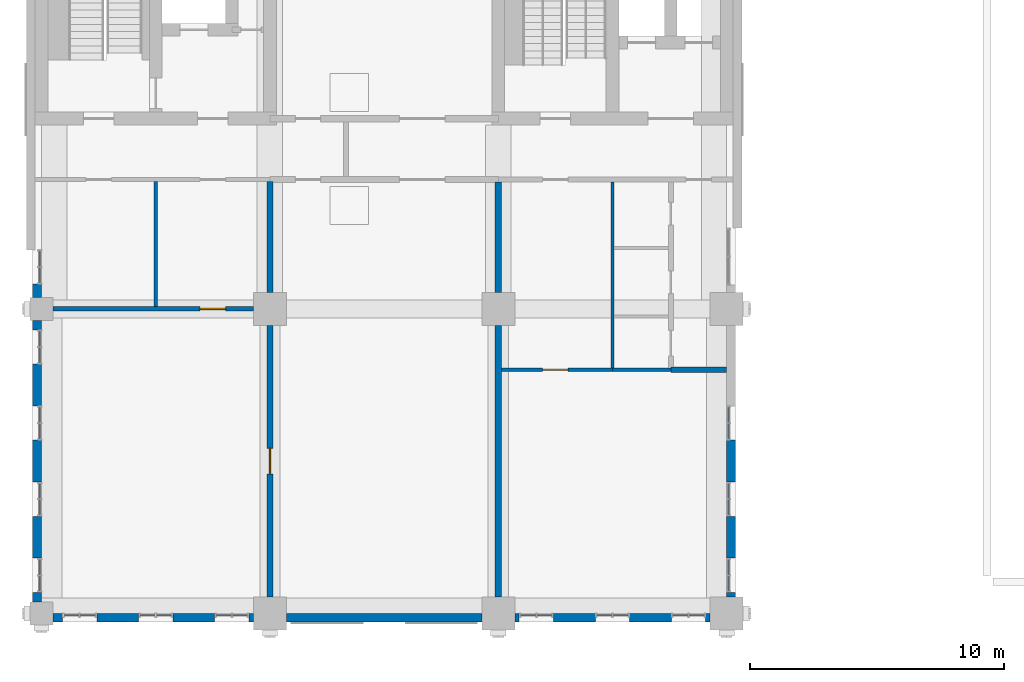
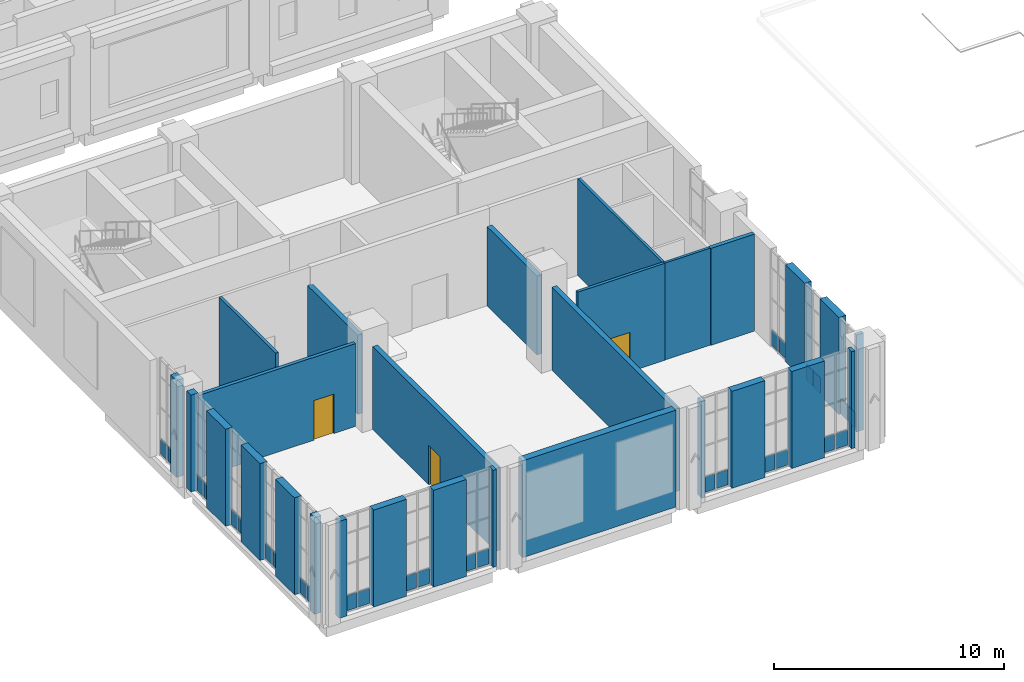
# One storey, part 16 of 37: 28 plates, 28 walls, 3 doors, 3 openings, 14 elements without a shape of their own.
"""IFC4 building model written with IfcOpenShell, lengths in metres."""

from ifc_helpers import new_model, si_unit, direction, frame, frame_2d, origin, origin_2d, place, context, subcontext, project, spatial, rectangle, extrude, material, layer, layer_set, type_object, element, fill, aggregate, save


model = new_model("IFC4")

# Units and contexts
model_context = context("Model", 3, precision=1e-05, world=origin(), true_north=direction((0.0, 1.0)))
body_context = subcontext(model_context, "Body", "Model", "MODEL_VIEW")
ifc_project = project(units=[si_unit("LENGTHUNIT", "METRE"), si_unit("AREAUNIT", "SQUARE_METRE"), si_unit("VOLUMEUNIT", "CUBIC_METRE"), si_unit("PLANEANGLEUNIT", "RADIAN"), si_unit("MASSUNIT", "GRAM", prefix="KILO")], contexts=[model_context])

# Site, building, storey
site_placement = place(None, origin())
site = spatial("IfcSite", under=ifc_project, at=site_placement, CompositionType="ELEMENT")
building_placement = place(site_placement, origin())
building = spatial("IfcBuilding", under=site, at=building_placement, Name="Aurelan Courthouse", CompositionType="ELEMENT")
storey_placement = place(building_placement, frame((0.0, 0.0, 17.39990234375)))
storey = spatial("IfcBuildingStorey", under=building, at=storey_placement, Name="L03", CompositionType="ELEMENT", Elevation=17.39990234375)

# Curtain wall, plates
ifc_material_1 = material(Name="Bronze-finished aluminium and glass", Category="aluminium")
ifc_layer_1 = layer(ifc_material_1, 0.14990234375)
ifc_layer_set_1 = layer_set([ifc_layer_1], Name="Bronze-finished aluminium and glass")
curtain_wall_type = type_object("IfcCurtainWallType", Name="Curtain wall 1350 x 5150", PredefinedType="NOTDEFINED", material=ifc_layer_set_1)
curtain_wall_1_placement = place(storey_placement, origin())
curtain_wall_1 = element("IfcCurtainWall", 1, at=curtain_wall_1_placement, inside=storey, type_object=curtain_wall_type, Name="Curtain wall CW-V5-L03-S01", PredefinedType="NOTDEFINED")
ifc_material_2 = material(Name="Bronze-finished aluminium", Category="aluminium")
ifc_layer_2 = layer(ifc_material_2, 0.0400390625)
ifc_layer_set_2 = layer_set([ifc_layer_2], Name="Bronze-finished aluminium")
plate_type = type_object("IfcPlateType", Name="Sill panel 40", PredefinedType="CURTAIN_PANEL", material=ifc_layer_set_2)
plate_1_placement = place(storey_placement, frame((1.177490234375, -0.074951171875, 0.06005859375), z_axis=(0.0, 0.0, 1.0), x_axis=(1.0, 0.0, 0.0)))
plate_1 = element("IfcPlate", 2, at=plate_1_placement, type_object=plate_type, Name="CW-V5-L03-S01 sill panel 1.1", PredefinedType="CURTAIN_PANEL", context=body_context, shape_type="SweptSolid", body=[
    extrude(rectangle(XDim=0.5849609375, YDim=0.0400390625, at=origin_2d()), origin(), (0.0, 0.0, 1.0), 0.81005859375),
])
plate_2_placement = place(storey_placement, frame((1.822509765625, -0.074951171875, 0.06005859375), z_axis=(0.0, 0.0, 1.0), x_axis=(1.0, 0.0, 0.0)))
plate_2 = element("IfcPlate", 3, at=plate_2_placement, type_object=plate_type, Name="CW-V5-L03-S01 sill panel 2.1", PredefinedType="CURTAIN_PANEL", context=body_context, shape_type="SweptSolid", body=[
    extrude(rectangle(XDim=0.5849609375, YDim=0.0400390625, at=origin_2d()), origin(), (0.0, 0.0, 1.0), 0.81005859375),
])
aggregate(curtain_wall_1, [plate_1, plate_2])

curtain_wall_2_placement = place(storey_placement, origin())
curtain_wall_2 = element("IfcCurtainWall", 4, at=curtain_wall_2_placement, inside=storey, type_object=curtain_wall_type, Name="Curtain wall CW-V5-L03-S02", PredefinedType="NOTDEFINED")
plate_3_placement = place(storey_placement, frame((4.177490234375, -0.074951171875, 0.06005859375), z_axis=(0.0, 0.0, 1.0), x_axis=(1.0, 0.0, 0.0)))
plate_3 = element("IfcPlate", 5, at=plate_3_placement, type_object=plate_type, Name="CW-V5-L03-S02 sill panel 1.1", PredefinedType="CURTAIN_PANEL", context=body_context, shape_type="SweptSolid", body=[
    extrude(rectangle(XDim=0.5849609375, YDim=0.0400390625, at=origin_2d()), origin(), (0.0, 0.0, 1.0), 0.81005859375),
])
plate_4_placement = place(storey_placement, frame((4.822509765625, -0.074951171875, 0.06005859375), z_axis=(0.0, 0.0, 1.0), x_axis=(1.0, 0.0, 0.0)))
plate_4 = element("IfcPlate", 6, at=plate_4_placement, type_object=plate_type, Name="CW-V5-L03-S02 sill panel 2.1", PredefinedType="CURTAIN_PANEL", context=body_context, shape_type="SweptSolid", body=[
    extrude(rectangle(XDim=0.5849609375, YDim=0.0400390625, at=origin_2d()), origin(), (0.0, 0.0, 1.0), 0.81005859375),
])
aggregate(curtain_wall_2, [plate_3, plate_4])

curtain_wall_3_placement = place(storey_placement, origin())
curtain_wall_3 = element("IfcCurtainWall", 7, at=curtain_wall_3_placement, inside=storey, type_object=curtain_wall_type, Name="Curtain wall CW-V5-L03-S03", PredefinedType="NOTDEFINED")
plate_5_placement = place(storey_placement, frame((7.177490234375, -0.074951171875, 0.06005859375), z_axis=(0.0, 0.0, 1.0), x_axis=(1.0, 0.0, 0.0)))
plate_5 = element("IfcPlate", 8, at=plate_5_placement, type_object=plate_type, Name="CW-V5-L03-S03 sill panel 1.1", PredefinedType="CURTAIN_PANEL", context=body_context, shape_type="SweptSolid", body=[
    extrude(rectangle(XDim=0.5849609375, YDim=0.0400390625, at=origin_2d()), origin(), (0.0, 0.0, 1.0), 0.81005859375),
])
plate_6_placement = place(storey_placement, frame((7.822509765625, -0.074951171875, 0.06005859375), z_axis=(0.0, 0.0, 1.0), x_axis=(1.0, 0.0, 0.0)))
plate_6 = element("IfcPlate", 9, at=plate_6_placement, type_object=plate_type, Name="CW-V5-L03-S03 sill panel 2.1", PredefinedType="CURTAIN_PANEL", context=body_context, shape_type="SweptSolid", body=[
    extrude(rectangle(XDim=0.5849609375, YDim=0.0400390625, at=origin_2d()), origin(), (0.0, 0.0, 1.0), 0.81005859375),
])
aggregate(curtain_wall_3, [plate_5, plate_6])

curtain_wall_4_placement = place(storey_placement, origin())
curtain_wall_4 = element("IfcCurtainWall", 10, at=curtain_wall_4_placement, inside=storey, type_object=curtain_wall_type, Name="Curtain wall CW-V5-L03-S04", PredefinedType="NOTDEFINED")
plate_7_placement = place(storey_placement, frame((19.177490234375, -0.074951171875, 0.06005859375), z_axis=(0.0, 0.0, 1.0), x_axis=(1.0, 0.0, 0.0)))
plate_7 = element("IfcPlate", 11, at=plate_7_placement, type_object=plate_type, Name="CW-V5-L03-S04 sill panel 1.1", PredefinedType="CURTAIN_PANEL", context=body_context, shape_type="SweptSolid", body=[
    extrude(rectangle(XDim=0.5849609375, YDim=0.0400390625, at=origin_2d()), origin(), (0.0, 0.0, 1.0), 0.81005859375),
])
plate_8_placement = place(storey_placement, frame((19.822509765625, -0.074951171875, 0.06005859375), z_axis=(0.0, 0.0, 1.0), x_axis=(1.0, 0.0, 0.0)))
plate_8 = element("IfcPlate", 12, at=plate_8_placement, type_object=plate_type, Name="CW-V5-L03-S04 sill panel 2.1", PredefinedType="CURTAIN_PANEL", context=body_context, shape_type="SweptSolid", body=[
    extrude(rectangle(XDim=0.5849609375, YDim=0.0400390625, at=origin_2d()), origin(), (0.0, 0.0, 1.0), 0.81005859375),
])
aggregate(curtain_wall_4, [plate_7, plate_8])

curtain_wall_5_placement = place(storey_placement, origin())
curtain_wall_5 = element("IfcCurtainWall", 13, at=curtain_wall_5_placement, inside=storey, type_object=curtain_wall_type, Name="Curtain wall CW-V5-L03-S05", PredefinedType="NOTDEFINED")
plate_9_placement = place(storey_placement, frame((22.177490234375, -0.074951171875, 0.06005859375), z_axis=(0.0, 0.0, 1.0), x_axis=(1.0, 0.0, 0.0)))
plate_9 = element("IfcPlate", 14, at=plate_9_placement, type_object=plate_type, Name="CW-V5-L03-S05 sill panel 1.1", PredefinedType="CURTAIN_PANEL", context=body_context, shape_type="SweptSolid", body=[
    extrude(rectangle(XDim=0.5849609375, YDim=0.0400390625, at=origin_2d()), origin(), (0.0, 0.0, 1.0), 0.81005859375),
])
plate_10_placement = place(storey_placement, frame((22.822509765625, -0.074951171875, 0.06005859375), z_axis=(0.0, 0.0, 1.0), x_axis=(1.0, 0.0, 0.0)))
plate_10 = element("IfcPlate", 15, at=plate_10_placement, type_object=plate_type, Name="CW-V5-L03-S05 sill panel 2.1", PredefinedType="CURTAIN_PANEL", context=body_context, shape_type="SweptSolid", body=[
    extrude(rectangle(XDim=0.5849609375, YDim=0.0400390625, at=origin_2d()), origin(), (0.0, 0.0, 1.0), 0.81005859375),
])
aggregate(curtain_wall_5, [plate_9, plate_10])

curtain_wall_6_placement = place(storey_placement, origin())
curtain_wall_6 = element("IfcCurtainWall", 16, at=curtain_wall_6_placement, inside=storey, type_object=curtain_wall_type, Name="Curtain wall CW-V5-L03-S06", PredefinedType="NOTDEFINED")
plate_11_placement = place(storey_placement, frame((25.177490234375, -0.074951171875, 0.06005859375), z_axis=(0.0, 0.0, 1.0), x_axis=(1.0, 0.0, 0.0)))
plate_11 = element("IfcPlate", 17, at=plate_11_placement, type_object=plate_type, Name="CW-V5-L03-S06 sill panel 1.1", PredefinedType="CURTAIN_PANEL", context=body_context, shape_type="SweptSolid", body=[
    extrude(rectangle(XDim=0.5849609375, YDim=0.0400390625, at=origin_2d()), origin(), (0.0, 0.0, 1.0), 0.81005859375),
])
plate_12_placement = place(storey_placement, frame((25.822509765625, -0.074951171875, 0.06005859375), z_axis=(0.0, 0.0, 1.0), x_axis=(1.0, 0.0, 0.0)))
plate_12 = element("IfcPlate", 18, at=plate_12_placement, type_object=plate_type, Name="CW-V5-L03-S06 sill panel 2.1", PredefinedType="CURTAIN_PANEL", context=body_context, shape_type="SweptSolid", body=[
    extrude(rectangle(XDim=0.5849609375, YDim=0.0400390625, at=origin_2d()), origin(), (0.0, 0.0, 1.0), 0.81005859375),
])
aggregate(curtain_wall_6, [plate_11, plate_12])

curtain_wall_7_placement = place(storey_placement, origin())
curtain_wall_7 = element("IfcCurtainWall", 19, at=curtain_wall_7_placement, inside=storey, type_object=curtain_wall_type, Name="Curtain wall CW-V5-L03-E01", PredefinedType="NOTDEFINED")
plate_13_placement = place(storey_placement, frame((27.074951171875, 1.177490234375, 0.06005859375), z_axis=(0.0, 0.0, 1.0), x_axis=(0.0, 1.0, 0.0)))
plate_13 = element("IfcPlate", 20, at=plate_13_placement, type_object=plate_type, Name="CW-V5-L03-E01 sill panel 1.1", PredefinedType="CURTAIN_PANEL", context=body_context, shape_type="SweptSolid", body=[
    extrude(rectangle(XDim=0.5849609375, YDim=0.0400390625, at=origin_2d()), origin(), (0.0, 0.0, 1.0), 0.81005859375),
])
plate_14_placement = place(storey_placement, frame((27.074951171875, 1.822509765625, 0.06005859375), z_axis=(0.0, 0.0, 1.0), x_axis=(0.0, 1.0, 0.0)))
plate_14 = element("IfcPlate", 21, at=plate_14_placement, type_object=plate_type, Name="CW-V5-L03-E01 sill panel 2.1", PredefinedType="CURTAIN_PANEL", context=body_context, shape_type="SweptSolid", body=[
    extrude(rectangle(XDim=0.5849609375, YDim=0.0400390625, at=origin_2d()), origin(), (0.0, 0.0, 1.0), 0.81005859375),
])
aggregate(curtain_wall_7, [plate_13, plate_14])

curtain_wall_8_placement = place(storey_placement, origin())
curtain_wall_8 = element("IfcCurtainWall", 22, at=curtain_wall_8_placement, inside=storey, type_object=curtain_wall_type, Name="Curtain wall CW-V5-L03-E02", PredefinedType="NOTDEFINED")
plate_15_placement = place(storey_placement, frame((27.074951171875, 4.177490234375, 0.06005859375), z_axis=(0.0, 0.0, 1.0), x_axis=(0.0, 1.0, 0.0)))
plate_15 = element("IfcPlate", 23, at=plate_15_placement, type_object=plate_type, Name="CW-V5-L03-E02 sill panel 1.1", PredefinedType="CURTAIN_PANEL", context=body_context, shape_type="SweptSolid", body=[
    extrude(rectangle(XDim=0.5849609375, YDim=0.0400390625, at=origin_2d()), origin(), (0.0, 0.0, 1.0), 0.81005859375),
])
plate_16_placement = place(storey_placement, frame((27.074951171875, 4.822509765625, 0.06005859375), z_axis=(0.0, 0.0, 1.0), x_axis=(0.0, 1.0, 0.0)))
plate_16 = element("IfcPlate", 24, at=plate_16_placement, type_object=plate_type, Name="CW-V5-L03-E02 sill panel 2.1", PredefinedType="CURTAIN_PANEL", context=body_context, shape_type="SweptSolid", body=[
    extrude(rectangle(XDim=0.5849609375, YDim=0.0400390625, at=origin_2d()), origin(), (0.0, 0.0, 1.0), 0.81005859375),
])
aggregate(curtain_wall_8, [plate_15, plate_16])

curtain_wall_9_placement = place(storey_placement, origin())
curtain_wall_9 = element("IfcCurtainWall", 25, at=curtain_wall_9_placement, inside=storey, type_object=curtain_wall_type, Name="Curtain wall CW-V5-L03-E03", PredefinedType="NOTDEFINED")
plate_17_placement = place(storey_placement, frame((27.074951171875, 7.177490234375, 0.06005859375), z_axis=(0.0, 0.0, 1.0), x_axis=(0.0, 1.0, 0.0)))
plate_17 = element("IfcPlate", 26, at=plate_17_placement, type_object=plate_type, Name="CW-V5-L03-E03 sill panel 1.1", PredefinedType="CURTAIN_PANEL", context=body_context, shape_type="SweptSolid", body=[
    extrude(rectangle(XDim=0.5849609375, YDim=0.0400390625, at=origin_2d()), origin(), (0.0, 0.0, 1.0), 0.81005859375),
])
plate_18_placement = place(storey_placement, frame((27.074951171875, 7.822509765625, 0.06005859375), z_axis=(0.0, 0.0, 1.0), x_axis=(0.0, 1.0, 0.0)))
plate_18 = element("IfcPlate", 27, at=plate_18_placement, type_object=plate_type, Name="CW-V5-L03-E03 sill panel 2.1", PredefinedType="CURTAIN_PANEL", context=body_context, shape_type="SweptSolid", body=[
    extrude(rectangle(XDim=0.5849609375, YDim=0.0400390625, at=origin_2d()), origin(), (0.0, 0.0, 1.0), 0.81005859375),
])
aggregate(curtain_wall_9, [plate_17, plate_18])

curtain_wall_10_placement = place(storey_placement, origin())
curtain_wall_10 = element("IfcCurtainWall", 28, at=curtain_wall_10_placement, inside=storey, type_object=curtain_wall_type, Name="Curtain wall CW-V5-L03-W01", PredefinedType="NOTDEFINED")
plate_19_placement = place(storey_placement, frame((-0.074951171875, 1.177490234375, 0.06005859375), z_axis=(0.0, 0.0, 1.0), x_axis=(0.0, 1.0, 0.0)))
plate_19 = element("IfcPlate", 29, at=plate_19_placement, type_object=plate_type, Name="CW-V5-L03-W01 sill panel 1.1", PredefinedType="CURTAIN_PANEL", context=body_context, shape_type="SweptSolid", body=[
    extrude(rectangle(XDim=0.5849609375, YDim=0.0400390625, at=origin_2d()), origin(), (0.0, 0.0, 1.0), 0.81005859375),
])
plate_20_placement = place(storey_placement, frame((-0.074951171875, 1.822509765625, 0.06005859375), z_axis=(0.0, 0.0, 1.0), x_axis=(0.0, 1.0, 0.0)))
plate_20 = element("IfcPlate", 30, at=plate_20_placement, type_object=plate_type, Name="CW-V5-L03-W01 sill panel 2.1", PredefinedType="CURTAIN_PANEL", context=body_context, shape_type="SweptSolid", body=[
    extrude(rectangle(XDim=0.5849609375, YDim=0.0400390625, at=origin_2d()), origin(), (0.0, 0.0, 1.0), 0.81005859375),
])
aggregate(curtain_wall_10, [plate_19, plate_20])

curtain_wall_11_placement = place(storey_placement, origin())
curtain_wall_11 = element("IfcCurtainWall", 31, at=curtain_wall_11_placement, inside=storey, type_object=curtain_wall_type, Name="Curtain wall CW-V5-L03-W02", PredefinedType="NOTDEFINED")
plate_21_placement = place(storey_placement, frame((-0.074951171875, 4.177490234375, 0.06005859375), z_axis=(0.0, 0.0, 1.0), x_axis=(0.0, 1.0, 0.0)))
plate_21 = element("IfcPlate", 32, at=plate_21_placement, type_object=plate_type, Name="CW-V5-L03-W02 sill panel 1.1", PredefinedType="CURTAIN_PANEL", context=body_context, shape_type="SweptSolid", body=[
    extrude(rectangle(XDim=0.5849609375, YDim=0.0400390625, at=origin_2d()), origin(), (0.0, 0.0, 1.0), 0.81005859375),
])
plate_22_placement = place(storey_placement, frame((-0.074951171875, 4.822509765625, 0.06005859375), z_axis=(0.0, 0.0, 1.0), x_axis=(0.0, 1.0, 0.0)))
plate_22 = element("IfcPlate", 33, at=plate_22_placement, type_object=plate_type, Name="CW-V5-L03-W02 sill panel 2.1", PredefinedType="CURTAIN_PANEL", context=body_context, shape_type="SweptSolid", body=[
    extrude(rectangle(XDim=0.5849609375, YDim=0.0400390625, at=origin_2d()), origin(), (0.0, 0.0, 1.0), 0.81005859375),
])
aggregate(curtain_wall_11, [plate_21, plate_22])

curtain_wall_12_placement = place(storey_placement, origin())
curtain_wall_12 = element("IfcCurtainWall", 34, at=curtain_wall_12_placement, inside=storey, type_object=curtain_wall_type, Name="Curtain wall CW-V5-L03-W03", PredefinedType="NOTDEFINED")
plate_23_placement = place(storey_placement, frame((-0.074951171875, 7.177490234375, 0.06005859375), z_axis=(0.0, 0.0, 1.0), x_axis=(0.0, 1.0, 0.0)))
plate_23 = element("IfcPlate", 35, at=plate_23_placement, type_object=plate_type, Name="CW-V5-L03-W03 sill panel 1.1", PredefinedType="CURTAIN_PANEL", context=body_context, shape_type="SweptSolid", body=[
    extrude(rectangle(XDim=0.5849609375, YDim=0.0400390625, at=origin_2d()), origin(), (0.0, 0.0, 1.0), 0.81005859375),
])
plate_24_placement = place(storey_placement, frame((-0.074951171875, 7.822509765625, 0.06005859375), z_axis=(0.0, 0.0, 1.0), x_axis=(0.0, 1.0, 0.0)))
plate_24 = element("IfcPlate", 36, at=plate_24_placement, type_object=plate_type, Name="CW-V5-L03-W03 sill panel 2.1", PredefinedType="CURTAIN_PANEL", context=body_context, shape_type="SweptSolid", body=[
    extrude(rectangle(XDim=0.5849609375, YDim=0.0400390625, at=origin_2d()), origin(), (0.0, 0.0, 1.0), 0.81005859375),
])
aggregate(curtain_wall_12, [plate_23, plate_24])

curtain_wall_13_placement = place(storey_placement, origin())
curtain_wall_13 = element("IfcCurtainWall", 37, at=curtain_wall_13_placement, inside=storey, type_object=curtain_wall_type, Name="Curtain wall CW-V5-L03-W04", PredefinedType="NOTDEFINED")
plate_25_placement = place(storey_placement, frame((-0.074951171875, 10.177490234375, 0.06005859375), z_axis=(0.0, 0.0, 1.0), x_axis=(0.0, 1.0, 0.0)))
plate_25 = element("IfcPlate", 38, at=plate_25_placement, type_object=plate_type, Name="CW-V5-L03-W04 sill panel 1.1", PredefinedType="CURTAIN_PANEL", context=body_context, shape_type="SweptSolid", body=[
    extrude(rectangle(XDim=0.5849609375, YDim=0.0400390625, at=origin_2d()), origin(), (0.0, 0.0, 1.0), 0.81005859375),
])
plate_26_placement = place(storey_placement, frame((-0.074951171875, 10.822509765625, 0.06005859375), z_axis=(0.0, 0.0, 1.0), x_axis=(0.0, 1.0, 0.0)))
plate_26 = element("IfcPlate", 39, at=plate_26_placement, type_object=plate_type, Name="CW-V5-L03-W04 sill panel 2.1", PredefinedType="CURTAIN_PANEL", context=body_context, shape_type="SweptSolid", body=[
    extrude(rectangle(XDim=0.5849609375, YDim=0.0400390625, at=origin_2d()), origin(), (0.0, 0.0, 1.0), 0.81005859375),
])
aggregate(curtain_wall_13, [plate_25, plate_26])

curtain_wall_14_placement = place(storey_placement, origin())
curtain_wall_14 = element("IfcCurtainWall", 40, at=curtain_wall_14_placement, inside=storey, type_object=curtain_wall_type, Name="Curtain wall CW-V5-L03-W05", PredefinedType="NOTDEFINED")
plate_27_placement = place(storey_placement, frame((-0.074951171875, 13.327392578125, 0.06005859375), z_axis=(0.0, 0.0, 1.0), x_axis=(0.0, 1.0, 0.0)))
plate_27 = element("IfcPlate", 41, at=plate_27_placement, type_object=plate_type, Name="CW-V5-L03-W05 sill panel 1.1", PredefinedType="CURTAIN_PANEL", context=body_context, shape_type="SweptSolid", body=[
    extrude(rectangle(XDim=0.5849609375, YDim=0.0400390625, at=origin_2d()), origin(), (0.0, 0.0, 1.0), 0.81005859375),
])
plate_28_placement = place(storey_placement, frame((-0.074951171875, 13.972412109375, 0.06005859375), z_axis=(0.0, 0.0, 1.0), x_axis=(0.0, 1.0, 0.0)))
plate_28 = element("IfcPlate", 42, at=plate_28_placement, type_object=plate_type, Name="CW-V5-L03-W05 sill panel 2.1", PredefinedType="CURTAIN_PANEL", context=body_context, shape_type="SweptSolid", body=[
    extrude(rectangle(XDim=0.5849609375, YDim=0.0400390625, at=origin_2d()), origin(), (0.0, 0.0, 1.0), 0.81005859375),
])
aggregate(curtain_wall_14, [plate_27, plate_28])

# Wall, opening, door
ifc_material_3 = material(Name="Gypsum board on metal studs")
ifc_layer_3 = layer(ifc_material_3, 0.175048828125)
ifc_layer_set_3 = layer_set([ifc_layer_3], Name="Gypsum board on metal studs")
wall_type_1 = type_object("IfcWallType", Name="Chambers acoustic partition 175 NOT RATED", PredefinedType="PARTITIONING", material=ifc_layer_set_3)
wall_1_placement = place(storey_placement, frame((0.449951171875, 12.0, 0.0), z_axis=(0.0, 0.0, 1.0), x_axis=(1.0, 0.0, 0.0)))
wall_1 = element("IfcWall", 43, at=wall_1_placement, inside=storey, type_object=wall_type_1, Name="Chambers acoustic partition L03-005", PredefinedType="PARTITIONING", context=body_context, shape_type="SweptSolid", body=[
    extrude(rectangle(XDim=7.900146484375, YDim=0.175048828125, at=frame_2d((3.9501953125, 0.0))), origin(), (0.0, 0.0, 1.0), 4.400146484375),
])
opening_1_placement = place(wall_1_placement, frame((5.800048828125, 0.0, 0.0)))
opening_1 = element("IfcOpeningElement", 44, at=opening_1_placement, cuts=wall_1, Name="Opening D-L03-063", PredefinedType="OPENING", context=body_context, shape_type="SweptSolid", body=[
    extrude(rectangle(XDim=1.0, YDim=2.10009765625, at=frame_2d((0.5, 1.050048828125))), frame((0.0, 0.097412109375, 0.0), z_axis=(0.0, -1.0, 0.0), x_axis=(1.0, 0.0, 0.0)), (0.0, 0.0, 1.0), 0.195068359375),
])
ifc_material_4 = material(Name="Timber", Category="wood")
door_type_1 = type_object("IfcDoorType", Name="Single door 1000 x 2100 NOT RATED", OperationType="SINGLE_SWING_LEFT", PredefinedType="DOOR", material=ifc_material_4)
door_1_placement = place(opening_1_placement, origin())
door_1 = element("IfcDoor", 45, at=door_1_placement, inside=storey, type_object=door_type_1, Name="Single door D-L03-063", OperationType="SINGLE_SWING_RIGHT", OverallHeight=2.10009765625, OverallWidth=1.0, PredefinedType="DOOR", context=body_context, shape_type="SweptSolid", body=[
    extrude(rectangle(XDim=1.0, YDim=2.10009765625, at=frame_2d((0.5, 1.050048828125))), frame((0.0, 0.02490234375, 0.0), z_axis=(0.0, -1.0, 0.0), x_axis=(1.0, 0.0, 0.0)), (0.0, 0.0, 1.0), 0.050048828125),
])
fill(opening_1, door_1)

ifc_material_5 = material(Name="Masonry block", Category="masonry")
ifc_layer_4 = layer(ifc_material_5, 0.25)
ifc_layer_set_4 = layer_set([ifc_layer_4], Name="Masonry block")
wall_type_2 = type_object("IfcWallType", Name="Courtroom wall 250 EI 60", PredefinedType="PARTITIONING", material=ifc_layer_set_4)
wall_2_placement = place(storey_placement, frame((9.0, 0.64990234375, 0.0), z_axis=(0.0, 0.0, 1.0), x_axis=(0.0, 1.0, 0.0)))
wall_2 = element("IfcWall", 46, at=wall_2_placement, inside=storey, type_object=wall_type_2, Name="Courtroom wall L03-053", PredefinedType="PARTITIONING", context=body_context, shape_type="SweptSolid", body=[
    extrude(rectangle(XDim=10.7001953125, YDim=0.25, at=frame_2d((5.35009765625, 0.0))), origin(), (0.0, 0.0, 1.0), 4.400146484375),
])
opening_2_placement = place(wall_2_placement, frame((5.85009765625, 0.0, 0.0), z_axis=(0.0, 0.0, 1.0), x_axis=(-1.0, 0.0, 0.0)))
opening_2 = element("IfcOpeningElement", 47, at=opening_2_placement, cuts=wall_2, Name="Opening D-L03-064", PredefinedType="OPENING", context=body_context, shape_type="SweptSolid", body=[
    extrude(rectangle(XDim=1.0, YDim=2.10009765625, at=frame_2d((0.5, 1.050048828125))), frame((0.0, 0.135009765625, 0.0), z_axis=(0.0, -1.0, 0.0), x_axis=(1.0, 0.0, 0.0)), (0.0, 0.0, 1.0), 0.27001953125),
])
ifc_material_6 = material(Name="Steel", Category="steel")
door_type_2 = type_object("IfcDoorType", Name="Single door 1000 x 2100 FD30", OperationType="SINGLE_SWING_LEFT", PredefinedType="DOOR", material=ifc_material_6)
door_2_placement = place(opening_2_placement, origin())
door_2 = element("IfcDoor", 48, at=door_2_placement, inside=storey, type_object=door_type_2, Name="Single door D-L03-064", OperationType="SINGLE_SWING_RIGHT", OverallHeight=2.10009765625, OverallWidth=1.0, PredefinedType="DOOR", context=body_context, shape_type="SweptSolid", body=[
    extrude(rectangle(XDim=1.0, YDim=2.10009765625, at=frame_2d((0.5, 1.050048828125))), frame((0.0, 0.02490234375, 0.0), z_axis=(0.0, -1.0, 0.0), x_axis=(1.0, 0.0, 0.0)), (0.0, 0.0, 1.0), 0.050048828125),
])
fill(opening_2, door_2)

# Walls
wall_3_placement = place(storey_placement, frame((9.0, 12.64990234375, 0.0), z_axis=(0.0, 0.0, 1.0), x_axis=(0.0, 1.0, 0.0)))
element("IfcWall", 49, at=wall_3_placement, inside=storey, type_object=wall_type_2, Name="Courtroom wall L03-054", PredefinedType="PARTITIONING", context=body_context, shape_type="SweptSolid", body=[
    extrude(rectangle(XDim=4.375, YDim=0.25, at=frame_2d((2.1875, 0.0))), origin(), (0.0, 0.0, 1.0), 4.2001953125),
])
wall_4_placement = place(storey_placement, frame((18.0, 0.64990234375, 0.0), z_axis=(0.0, 0.0, 1.0), x_axis=(0.0, 1.0, 0.0)))
element("IfcWall", 50, at=wall_4_placement, inside=storey, type_object=wall_type_2, Name="Courtroom wall L03-060", PredefinedType="PARTITIONING", context=body_context, shape_type="SweptSolid", body=[
    extrude(rectangle(XDim=10.7001953125, YDim=0.25, at=frame_2d((5.35009765625, 0.0))), origin(), (0.0, 0.0, 1.0), 4.400146484375),
])
wall_5_placement = place(storey_placement, frame((18.0, 12.64990234375, 0.0), z_axis=(0.0, 0.0, 1.0), x_axis=(0.0, 1.0, 0.0)))
element("IfcWall", 51, at=wall_5_placement, inside=storey, type_object=wall_type_2, Name="Courtroom wall L03-061", PredefinedType="PARTITIONING", context=body_context, shape_type="SweptSolid", body=[
    extrude(rectangle(XDim=4.35009765625, YDim=0.25, at=frame_2d((2.175048828125, 0.0))), origin(), (0.0, 0.0, 1.0), 4.2001953125),
])
ifc_material_7 = material(Name="Limestone cladding", Category="masonry")
ifc_layer_5 = layer(ifc_material_7, 0.10009765625, Name="Facing")
ifc_material_8 = material(Name="Ventilated cavity")
ifc_layer_6 = layer(ifc_material_8, 0.02490234375, ventilated=True, Name="Ventilated cavity")
ifc_material_9 = material(Name="Mineral wool insulation")
ifc_layer_7 = layer(ifc_material_9, 0.050048828125, Name="Insulation")
ifc_material_10 = material(Name="Concrete C30", Category="concrete")
ifc_layer_8 = layer(ifc_material_10, 0.175048828125, Name="Structure")
ifc_layer_set_5 = layer_set([ifc_layer_5, ifc_layer_6, ifc_layer_7, ifc_layer_8], Name="Concrete C30")
wall_type_3 = type_object("IfcWallType", Name="Courts' Floors stone-faced wall 350", PredefinedType="SOLIDWALL", material=ifc_layer_set_5)
wall_6_placement = place(storey_placement, frame((0.449951171875, -0.175048828125, 0.0), z_axis=(0.0, 0.0, 1.0), x_axis=(1.0, 0.0, 0.0)))
element("IfcWall", 52, at=wall_6_placement, inside=storey, type_object=wall_type_3, Name="Facade wall FW-V5-L03-001", PredefinedType="SOLIDWALL", context=body_context, shape_type="SweptSolid", body=[
    extrude(rectangle(XDim=0.375, YDim=0.35009765625, at=frame_2d((0.1875, 0.0))), origin(), (0.0, 0.0, 1.0), 5.150146484375),
])
for number, where, z_axis, x_axis, name in (
    (53, (2.175048828125, -0.175048828125, 0.0), (0.0, 0.0, 1.0), (1.0, 0.0, 0.0), "Facade wall FW-V5-L03-002"),
    (54, (5.175048828125, -0.175048828125, 0.0), (0.0, 0.0, 1.0), (1.0, 0.0, 0.0), "Facade wall FW-V5-L03-003"),
):
    element("IfcWall", number, at=place(storey_placement, frame(where, z_axis=z_axis, x_axis=x_axis)), inside=storey, type_object=wall_type_3, Name=name, PredefinedType="SOLIDWALL", context=body_context, shape_type="SweptSolid", body=[
        extrude(rectangle(XDim=1.64990234375, YDim=0.35009765625, at=frame_2d((0.824951171875, 0.0))), origin(), (0.0, 0.0, 1.0), 5.150146484375),
    ])
wall_7_placement = place(storey_placement, frame((8.175048828125, -0.175048828125, 0.0), z_axis=(0.0, 0.0, 1.0), x_axis=(1.0, 0.0, 0.0)))
element("IfcWall", 55, at=wall_7_placement, inside=storey, type_object=wall_type_3, Name="Facade wall FW-V5-L03-004", PredefinedType="SOLIDWALL", context=body_context, shape_type="SweptSolid", body=[
    extrude(rectangle(XDim=0.175048828125, YDim=0.35009765625, at=frame_2d((0.08740234375, 0.0))), origin(), (0.0, 0.0, 1.0), 5.150146484375),
])
wall_8_placement = place(storey_placement, frame((9.64990234375, -0.175048828125, 0.0), z_axis=(0.0, 0.0, 1.0), x_axis=(1.0, 0.0, 0.0)))
element("IfcWall", 56, at=wall_8_placement, inside=storey, type_object=wall_type_3, Name="Facade wall FW-V5-L03-005", PredefinedType="SOLIDWALL", context=body_context, shape_type="SweptSolid", body=[
    extrude(rectangle(XDim=7.7001953125, YDim=0.35009765625, at=frame_2d((3.85009765625, 0.0))), origin(), (0.0, 0.0, 1.0), 5.150146484375),
])
wall_9_placement = place(storey_placement, frame((18.64990234375, -0.175048828125, 0.0), z_axis=(0.0, 0.0, 1.0), x_axis=(1.0, 0.0, 0.0)))
element("IfcWall", 57, at=wall_9_placement, inside=storey, type_object=wall_type_3, Name="Facade wall FW-V5-L03-006", PredefinedType="SOLIDWALL", context=body_context, shape_type="SweptSolid", body=[
    extrude(rectangle(XDim=0.175048828125, YDim=0.35009765625, at=frame_2d((0.08740234375, 0.0))), origin(), (0.0, 0.0, 1.0), 5.150146484375),
])
for number, where, z_axis, x_axis, name in (
    (58, (20.175048828125, -0.175048828125, 0.0), (0.0, 0.0, 1.0), (1.0, 0.0, 0.0), "Facade wall FW-V5-L03-007"),
    (59, (23.175048828125, -0.175048828125, 0.0), (0.0, 0.0, 1.0), (1.0, 0.0, 0.0), "Facade wall FW-V5-L03-008"),
):
    element("IfcWall", number, at=place(storey_placement, frame(where, z_axis=z_axis, x_axis=x_axis)), inside=storey, type_object=wall_type_3, Name=name, PredefinedType="SOLIDWALL", context=body_context, shape_type="SweptSolid", body=[
        extrude(rectangle(XDim=1.64990234375, YDim=0.35009765625, at=frame_2d((0.824951171875, 0.0))), origin(), (0.0, 0.0, 1.0), 5.150146484375),
    ])
for number, where, z_axis, x_axis, name in (
    (60, (26.175048828125, -0.175048828125, 0.0), (0.0, 0.0, 1.0), (1.0, 0.0, 0.0), "Facade wall FW-V5-L03-009"),
    (61, (27.175048828125, 0.64990234375, 0.0), (0.0, 0.0, 1.0), (0.0, 1.0, 0.0), "Facade wall FW-V5-L03-013"),
):
    element("IfcWall", number, at=place(storey_placement, frame(where, z_axis=z_axis, x_axis=x_axis)), inside=storey, type_object=wall_type_3, Name=name, PredefinedType="SOLIDWALL", context=body_context, shape_type="SweptSolid", body=[
        extrude(rectangle(XDim=0.175048828125, YDim=0.35009765625, at=frame_2d((0.08740234375, 0.0))), origin(), (0.0, 0.0, 1.0), 5.150146484375),
    ])
for number, where, z_axis, x_axis, name in (
    (62, (27.175048828125, 2.175048828125, 0.0), (0.0, 0.0, 1.0), (0.0, 1.0, 0.0), "Facade wall FW-V5-L03-014"),
    (63, (27.175048828125, 5.175048828125, 0.0), (0.0, 0.0, 1.0), (0.0, 1.0, 0.0), "Facade wall FW-V5-L03-015"),
):
    element("IfcWall", number, at=place(storey_placement, frame(where, z_axis=z_axis, x_axis=x_axis)), inside=storey, type_object=wall_type_3, Name=name, PredefinedType="SOLIDWALL", context=body_context, shape_type="SweptSolid", body=[
        extrude(rectangle(XDim=1.64990234375, YDim=0.35009765625, at=frame_2d((0.824951171875, 0.0))), origin(), (0.0, 0.0, 1.0), 5.150146484375),
    ])
wall_10_placement = place(storey_placement, frame((-0.175048828125, 0.449951171875, 0.0), z_axis=(0.0, 0.0, 1.0), x_axis=(0.0, 1.0, 0.0)))
element("IfcWall", 64, at=wall_10_placement, inside=storey, type_object=wall_type_3, Name="Facade wall FW-V5-L03-019", PredefinedType="SOLIDWALL", context=body_context, shape_type="SweptSolid", body=[
    extrude(rectangle(XDim=0.375, YDim=0.35009765625, at=frame_2d((0.1875, 0.0))), origin(), (0.0, 0.0, 1.0), 5.150146484375),
])
for number, where, z_axis, x_axis, name in (
    (65, (-0.175048828125, 2.175048828125, 0.0), (0.0, 0.0, 1.0), (0.0, 1.0, 0.0), "Facade wall FW-V5-L03-020"),
    (66, (-0.175048828125, 5.175048828125, 0.0), (0.0, 0.0, 1.0), (0.0, 1.0, 0.0), "Facade wall FW-V5-L03-021"),
    (67, (-0.175048828125, 8.175048828125, 0.0), (0.0, 0.0, 1.0), (0.0, 1.0, 0.0), "Facade wall FW-V5-L03-022"),
):
    element("IfcWall", number, at=place(storey_placement, frame(where, z_axis=z_axis, x_axis=x_axis)), inside=storey, type_object=wall_type_3, Name=name, PredefinedType="SOLIDWALL", context=body_context, shape_type="SweptSolid", body=[
        extrude(rectangle(XDim=1.64990234375, YDim=0.35009765625, at=frame_2d((0.824951171875, 0.0))), origin(), (0.0, 0.0, 1.0), 5.150146484375),
    ])
wall_11_placement = place(storey_placement, frame((-0.175048828125, 11.175048828125, 0.0), z_axis=(0.0, 0.0, 1.0), x_axis=(0.0, 1.0, 0.0)))
element("IfcWall", 68, at=wall_11_placement, inside=storey, type_object=wall_type_3, Name="Facade wall FW-V5-L03-023", PredefinedType="SOLIDWALL", context=body_context, shape_type="SweptSolid", body=[
    extrude(rectangle(XDim=0.375, YDim=0.35009765625, at=frame_2d((0.1875, 0.0))), origin(), (0.0, 0.0, 1.0), 5.150146484375),
])
wall_12_placement = place(storey_placement, frame((-0.175048828125, 12.449951171875, 0.0), z_axis=(0.0, 0.0, 1.0), x_axis=(0.0, 1.0, 0.0)))
element("IfcWall", 69, at=wall_12_placement, inside=storey, type_object=wall_type_3, Name="Facade wall FW-V5-L03-024", PredefinedType="SOLIDWALL", context=body_context, shape_type="SweptSolid", body=[
    extrude(rectangle(XDim=0.525146484375, YDim=0.35009765625, at=frame_2d((0.2626953125, 0.0))), origin(), (0.0, 0.0, 1.0), 5.150146484375),
])
ifc_layer_9 = layer(ifc_material_5, 0.199951171875)
ifc_layer_set_6 = layer_set([ifc_layer_9], Name="Masonry block")
wall_type_4 = type_object("IfcWallType", Name="Lift lobby wall 200 EI 60", PredefinedType="PARTITIONING", material=ifc_layer_set_6)
wall_13_placement = place(storey_placement, frame((24.800048828125, 9.60009765625, 0.0), z_axis=(0.0, 0.0, 1.0), x_axis=(1.0, 0.0, 0.0)))
element("IfcWall", 70, at=wall_13_placement, inside=storey, type_object=wall_type_4, Name="Lift lobby wall L03-003", PredefinedType="PARTITIONING", context=body_context, shape_type="SweptSolid", body=[
    extrude(rectangle(XDim=2.199951171875, YDim=0.199951171875, at=frame_2d((1.10009765625, 0.0))), origin(), (0.0, 0.0, 1.0), 5.150146484375),
])

# Wall, opening, door
ifc_layer_10 = layer(ifc_material_3, 0.14990234375)
ifc_layer_set_7 = layer_set([ifc_layer_10], Name="Gypsum board on metal studs")
wall_type_5 = type_object("IfcWallType", Name="Partition 150 NOT RATED", PredefinedType="PARTITIONING", material=ifc_layer_set_7)
wall_14_placement = place(storey_placement, frame((18.125, 9.60009765625, 0.0), z_axis=(0.0, 0.0, 1.0), x_axis=(1.0, 0.0, 0.0)))
wall_14 = element("IfcWall", 71, at=wall_14_placement, inside=storey, type_object=wall_type_5, Name="Partition L03-001", PredefinedType="PARTITIONING", context=body_context, shape_type="SweptSolid", body=[
    extrude(rectangle(XDim=4.375, YDim=0.14990234375, at=frame_2d((2.1875, 0.0))), origin(), (0.0, 0.0, 1.0), 5.150146484375),
])
opening_3_placement = place(wall_14_placement, frame((2.625, 0.0, 0.0), z_axis=(0.0, 0.0, 1.0), x_axis=(-1.0, 0.0, 0.0)))
opening_3 = element("IfcOpeningElement", 72, at=opening_3_placement, cuts=wall_14, Name="Opening D-L03-067", PredefinedType="OPENING", context=body_context, shape_type="SweptSolid", body=[
    extrude(rectangle(XDim=1.0, YDim=2.10009765625, at=frame_2d((0.5, 1.050048828125))), frame((0.0, 0.0849609375, 0.0), z_axis=(0.0, -1.0, 0.0), x_axis=(1.0, 0.0, 0.0)), (0.0, 0.0, 1.0), 0.169921875),
])
door_3_placement = place(opening_3_placement, origin())
door_3 = element("IfcDoor", 73, at=door_3_placement, inside=storey, type_object=door_type_1, Name="Single door D-L03-067", OperationType="SINGLE_SWING_RIGHT", OverallHeight=2.10009765625, OverallWidth=1.0, PredefinedType="DOOR", context=body_context, shape_type="SweptSolid", body=[
    extrude(rectangle(XDim=1.0, YDim=2.10009765625, at=frame_2d((0.5, 1.050048828125))), frame((0.0, 0.02490234375, 0.0), z_axis=(0.0, -1.0, 0.0), x_axis=(1.0, 0.0, 0.0)), (0.0, 0.0, 1.0), 0.050048828125),
])
fill(opening_3, door_3)

# Walls
wall_15_placement = place(storey_placement, frame((4.5, 12.08740234375, 0.0), z_axis=(0.0, 0.0, 1.0), x_axis=(0.0, 1.0, 0.0)))
element("IfcWall", 74, at=wall_15_placement, inside=storey, type_object=wall_type_5, Name="Partition L03-052", PredefinedType="PARTITIONING", context=body_context, shape_type="SweptSolid", body=[
    extrude(rectangle(XDim=4.9375, YDim=0.14990234375, at=frame_2d((2.46875, 0.0))), origin(), (0.0, 0.0, 1.0), 5.150146484375),
])
ifc_material_11 = material(Name="Moisture-resistant board on metal studs")
ifc_layer_11 = layer(ifc_material_11, 0.125)
ifc_layer_set_8 = layer_set([ifc_layer_11], Name="Moisture-resistant board on metal studs")
wall_type_6 = type_object("IfcWallType", Name="Wet-area partition 125 NOT RATED", PredefinedType="PARTITIONING", material=ifc_layer_set_8)
wall_16_placement = place(storey_placement, frame((22.5, 9.60009765625, 0.0), z_axis=(0.0, 0.0, 1.0), x_axis=(1.0, 0.0, 0.0)))
element("IfcWall", 75, at=wall_16_placement, inside=storey, type_object=wall_type_6, Name="Wet-area partition L03-002", PredefinedType="PARTITIONING", context=body_context, shape_type="SweptSolid", body=[
    extrude(rectangle(XDim=2.300048828125, YDim=0.125, at=frame_2d((1.14990234375, 0.0))), origin(), (0.0, 0.0, 1.0), 5.150146484375),
])
wall_17_placement = place(storey_placement, frame((22.5, 9.66259765625, 0.0), z_axis=(0.0, 0.0, 1.0), x_axis=(0.0, 1.0, 0.0)))
element("IfcWall", 76, at=wall_17_placement, inside=storey, type_object=wall_type_6, Name="Wet-area partition L03-063", PredefinedType="PARTITIONING", context=body_context, shape_type="SweptSolid", body=[
    extrude(rectangle(XDim=7.33740234375, YDim=0.125, at=frame_2d((3.668701171875, 0.0))), origin(), (0.0, 0.0, 1.0), 5.150146484375),
])

save(model, "model.ifc")
